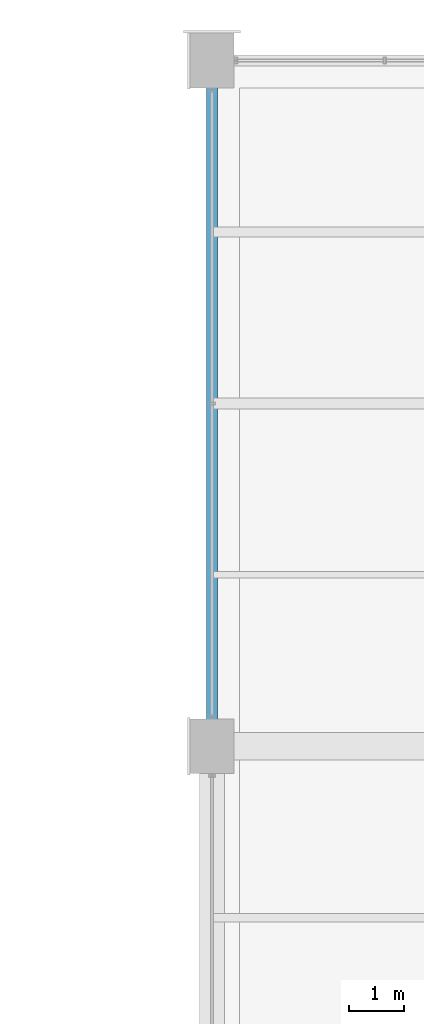
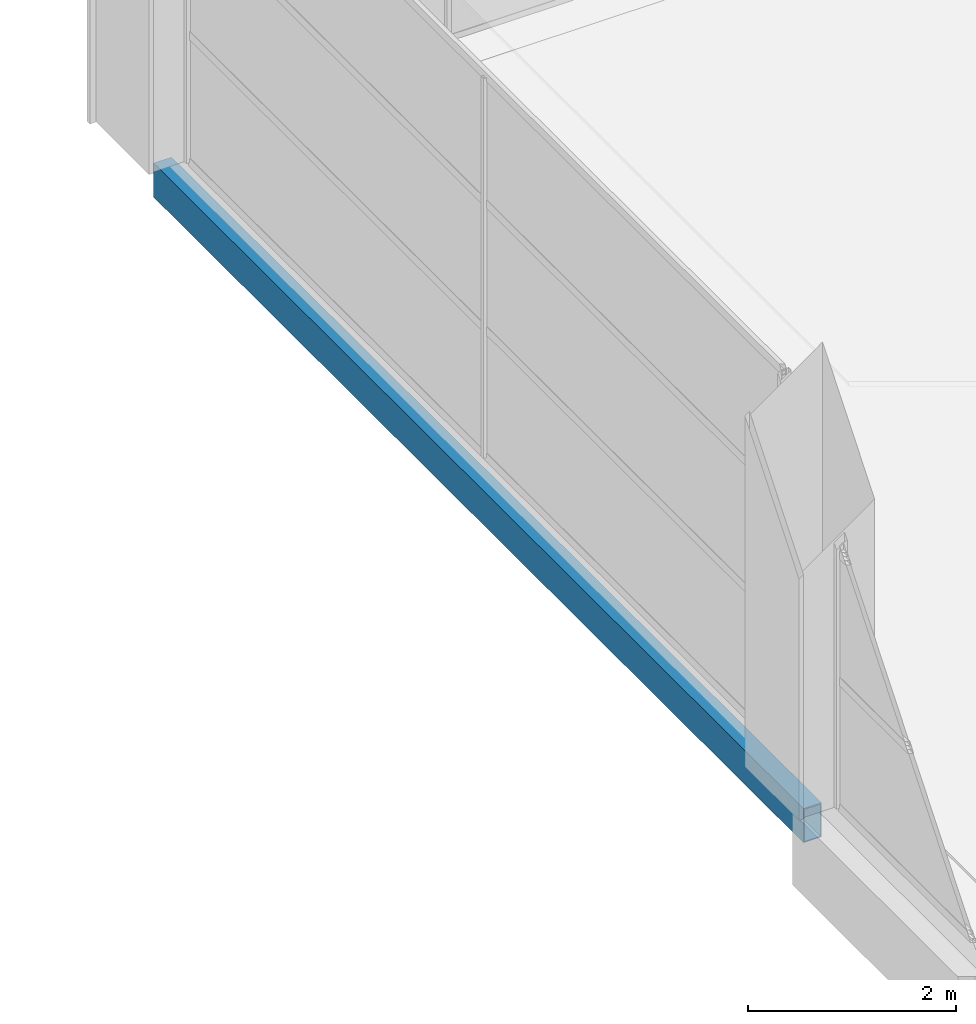
# One storey, part 59 of 112: 1 beam.
"""IFC4 building model written with IfcOpenShell, lengths in metres."""

import ifcopenshell
import ifcopenshell.guid

model = None  # the IFC model being written
_history = None  # IfcOwnerHistory: only IFC2X3 demands one
_inside = {}  # id of a spatial element -> (the spatial element, [elements in it])
_under = {}  # id of a project, library or spatial element -> (it, [spatial elements below it])
_declared = {}  # id of a project -> (the project, [libraries it declares])
_typed = {}  # id of a type object -> (the type object, [elements of that type])
_made_of = {}  # id of a material, layer set ... -> (it, [elements and type objects made of it])


def new_model(schema):
    """Start an empty IFC model of exactly this schema.

    Asked for "IFC4X3", IfcOpenShell would pick the latest addendum, in which some entities
    have other attributes; the version numbers below select the first issue.
    IFC2X3 requires an IfcOwnerHistory on every rooted entity: one is made here for all.
    """
    global model, _history
    if schema == "IFC4X3":
        model = ifcopenshell.file(schema_version=(4, 3, 0, 0))
    else:
        model = ifcopenshell.file(schema=schema)
    _inside.clear()
    _under.clear()
    _declared.clear()
    _typed.clear()
    _made_of.clear()
    _history = None
    if model.schema == "IFC2X3":
        org = make("IfcOrganization", Name="unknown")
        user = make(
            "IfcPersonAndOrganization",
            ThePerson=make("IfcPerson", FamilyName="unknown"),
            TheOrganization=org,
        )
        app = make(
            "IfcApplication",
            ApplicationDeveloper=org,
            Version="unknown",
            ApplicationFullName="unknown",
            ApplicationIdentifier="unknown",
        )
        _history = make(
            "IfcOwnerHistory",
            OwningUser=user,
            OwningApplication=app,
            ChangeAction="ADDED",
            CreationDate=0,
        )
    return model


def make(cls, **values):
    """One entity of the class cls with the attributes given. An attribute that is None is left unset."""
    return model.create_entity(
        cls, **{name: value for name, value in values.items() if value is not None}
    )


def rooted(cls, **values):
    """An entity with a GlobalId (a new one), such as an element, a storey or a relation."""
    return make(cls, GlobalId=ifcopenshell.guid.new(), OwnerHistory=_history, **values)


def si_unit(unit_type, name, prefix=None):
    """IfcSIUnit, for example si_unit("LENGTHUNIT", "METRE", prefix="MILLI")."""
    return make("IfcSIUnit", UnitType=unit_type, Prefix=prefix, Name=name)


def assignment(units):
    """IfcUnitAssignment: the units of a project."""
    return None if units is None else make("IfcUnitAssignment", Units=units)


def point(xyz):
    """IfcCartesianPoint."""
    return None if xyz is None else make("IfcCartesianPoint", Coordinates=xyz)


def direction(xyz):
    """IfcDirection."""
    return None if xyz is None else make("IfcDirection", DirectionRatios=xyz)


def frame(location, z_axis=None, x_axis=None):
    """IfcAxis2Placement3D, a coordinate frame: its origin and axes. An axis left out is left unset."""
    return make(
        "IfcAxis2Placement3D",
        Location=point(location),
        Axis=direction(z_axis),
        RefDirection=direction(x_axis),
    )


def frame_2d(location, x_axis=None):
    """IfcAxis2Placement2D, a coordinate frame in the plane: its origin and x axis."""
    return make(
        "IfcAxis2Placement2D", Location=point(location), RefDirection=direction(x_axis)
    )


def origin():
    """The frame at (0, 0, 0) with its axes left unset."""
    return frame((0.0, 0.0, 0.0))


def origin_2d():
    """The frame at (0, 0) in the plane with its x axis left unset."""
    return frame_2d((0.0, 0.0))


def place(relative_to, where):
    """IfcLocalPlacement: puts the frame where relative to a parent placement (None: the world)."""
    return make(
        "IfcLocalPlacement", PlacementRelTo=relative_to, RelativePlacement=where
    )


def context(
    kind, dimensions, precision=None, world=None, true_north=None, identifier=None
):
    """IfcGeometricRepresentationContext, for example the 3D "Model" context."""
    return make(
        "IfcGeometricRepresentationContext",
        ContextIdentifier=identifier,
        ContextType=kind,
        CoordinateSpaceDimension=dimensions,
        Precision=precision,
        WorldCoordinateSystem=world,
        TrueNorth=true_north,
    )


def subcontext(parent, identifier, kind, view, scale=None):
    """IfcGeometricRepresentationSubContext, for example "Body" below "Model"."""
    return make(
        "IfcGeometricRepresentationSubContext",
        ContextIdentifier=identifier,
        ContextType=kind,
        ParentContext=parent,
        TargetScale=scale,
        TargetView=view,
    )


def project(units=None, contexts=None):
    """IfcProject with its units and contexts."""
    return rooted(
        "IfcProject",
        Name="project",
        RepresentationContexts=contexts,
        UnitsInContext=assignment(units),
    )


def spatial(cls, under=None, at=None, **own):
    """A site, building, storey or space (cls), placed at a placement, below another one or the project."""
    s = rooted(cls, ObjectPlacement=at, **own)
    if under is not None:
        _under.setdefault(under.id(), (under, []))[1].append(s)
    return s


def profile(cls, at=None, kind="AREA", **sizes):
    """A parametric profile (cls). Its sizes go by their IFC names, for example OverallWidth=200.0."""
    return make(cls, ProfileType=kind, Position=at, **sizes)


def hollow_rectangle(**sizes):
    """IfcRectangleHollowProfileDef."""
    return profile("IfcRectangleHollowProfileDef", **sizes)


def extrude(swept, where, along, depth):
    """IfcExtrudedAreaSolid: the profile swept, set in the frame where, extruded along a direction by depth."""
    return make(
        "IfcExtrudedAreaSolid",
        SweptArea=swept,
        Position=where,
        ExtrudedDirection=direction(along),
        Depth=depth,
    )


def shape(context_of_items, identifier, shape_type, items):
    """IfcShapeRepresentation: the items that make up one representation, for example the "Body"."""
    return make(
        "IfcShapeRepresentation",
        ContextOfItems=context_of_items,
        RepresentationIdentifier=identifier,
        RepresentationType=shape_type,
        Items=items,
    )


def material(Name=None, Category=None):
    """IfcMaterial."""
    return make("IfcMaterial", Name=Name, Category=Category)


def material_profile(
    of_material, cross_section, Name=None, Category=None, Priority=None
):
    """IfcMaterialProfile: a cross section and its material."""
    return make(
        "IfcMaterialProfile",
        Name=Name,
        Material=of_material,
        Profile=cross_section,
        Priority=Priority,
        Category=Category,
    )


def profile_set(profiles, Name=None, composite=None):
    """IfcMaterialProfileSet."""
    return make(
        "IfcMaterialProfileSet",
        Name=Name,
        MaterialProfiles=profiles,
        CompositeProfile=composite,
    )


def made_of(thing, what):
    """Note that an element or type object is made of a material, layer set ...; save() writes the relation."""
    if what is not None:
        _made_of.setdefault(what.id(), (what, []))[1].append(thing)
    return thing


def type_object(cls, material=None, **own):
    """A type object (cls), such as IfcWallType, which elements share."""
    return made_of(rooted(cls, **own), material)


def element(
    cls,
    number,
    at=None,
    inside=None,
    cuts=None,
    type_object=None,
    material=None,
    context=None,
    identifier="Body",
    shape_type=None,
    held_by="IfcProductDefinitionShape",
    body=None,
    shapes=None,
    **own,
):
    """One element of the class cls, such as IfcWall. Its Tag is "e" and its number.

    at: its placement. inside: the storey or other place that contains it. cuts: it is an
    opening in that element (IfcRelVoidsElement). A single representation is given by context,
    identifier, shape_type and body (its items); several are given by shapes. held_by: the class
    of the entity that holds the representations. save() writes the other relations.
    """
    e = rooted(cls, Tag="e%d" % number, ObjectPlacement=at, **own)
    if body is not None:
        shapes = [shape(context, identifier, shape_type, body)]
    if shapes is not None:
        e.Representation = make(held_by, Representations=shapes)
    if inside is not None:
        _inside.setdefault(inside.id(), (inside, []))[1].append(e)
    if cuts is not None:
        rooted(
            "IfcRelVoidsElement", RelatingBuildingElement=cuts, RelatedOpeningElement=e
        )
    if type_object is not None:
        _typed.setdefault(type_object.id(), (type_object, []))[1].append(e)
    return made_of(e, material)


def aggregate(whole, parts):
    """IfcRelAggregates: a whole, such as a stair, and the parts it consists of."""
    return rooted("IfcRelAggregates", RelatingObject=whole, RelatedObjects=parts)


def save(model, path):
    """Write the relations noted so far, then the file.

    IfcRelAggregates (storeys below a building ...), IfcRelContainedInSpatialStructure (elements
    in a storey), IfcRelDefinesByType, IfcRelAssociatesMaterial and IfcRelDeclares: one each for
    every whole, place, type object, material and project.
    """
    for whole, parts in _under.values():
        aggregate(whole, parts)
    for where, things in _inside.values():
        rooted(
            "IfcRelContainedInSpatialStructure",
            RelatedElements=things,
            RelatingStructure=where,
        )
    for kind, things in _typed.values():
        rooted("IfcRelDefinesByType", RelatedObjects=things, RelatingType=kind)
    for what, things in _made_of.values():
        rooted("IfcRelAssociatesMaterial", RelatedObjects=things, RelatingMaterial=what)
    for by, libraries in _declared.values():
        rooted("IfcRelDeclares", RelatingContext=by, RelatedDefinitions=libraries)
    model.write(path)


model = new_model("IFC4")

# Units and contexts
model_context = context("Model", 3, precision=1e-05, world=origin(), true_north=direction((0.0, 1.0)))
body_context = subcontext(model_context, "Body", "Model", "MODEL_VIEW")
ifc_project = project(units=[si_unit("LENGTHUNIT", "METRE"), si_unit("AREAUNIT", "SQUARE_METRE"), si_unit("VOLUMEUNIT", "CUBIC_METRE"), si_unit("PLANEANGLEUNIT", "RADIAN"), si_unit("MASSUNIT", "GRAM", prefix="KILO")], contexts=[model_context])

# Site, building, storey
site_placement = place(None, origin())
site = spatial("IfcSite", under=ifc_project, at=site_placement, CompositionType="ELEMENT")
building_placement = place(site_placement, origin())
building = spatial("IfcBuilding", under=site, at=building_placement, Name="Solvikara Media Centre", CompositionType="ELEMENT")
storey_placement = place(building_placement, frame((0.0, 0.0, 5.39990234375)))
storey = spatial("IfcBuildingStorey", under=building, at=storey_placement, Name="L01", CompositionType="ELEMENT", Elevation=5.39990234375)

# Beam
ifc_material = material(Name="Steel S355JR", Category="steel")
ifc_material_profile = material_profile(ifc_material, hollow_rectangle(XDim=0.199951171875, YDim=0.39990234375, WallThickness=0.011962890625, at=origin_2d()), Name="RHS 400x200x12")
ifc_profile_set = profile_set([ifc_material_profile], Name="Steel S355JR")
beam_type = type_object("IfcBeamType", Name="BM-33", PredefinedType="SPANDREL", material=ifc_profile_set)
beam_placement = place(storey_placement, frame((127.5, 101.5, -0.501953125), z_axis=(0.0, 1.0, 0.0), x_axis=(-1.0, 0.0, 0.0)))
element("IfcBeam", 1, at=beam_placement, inside=storey, type_object=beam_type, Name="B-L01-Y0609", PredefinedType="SPANDREL", context=body_context, shape_type="SweptSolid", body=[
    extrude(hollow_rectangle(XDim=0.199951171875, YDim=0.39990234375, WallThickness=0.011962890625, at=origin_2d()), origin(), (0.0, 0.0, 1.0), 12.5),
])

save(model, "model.ifc")
